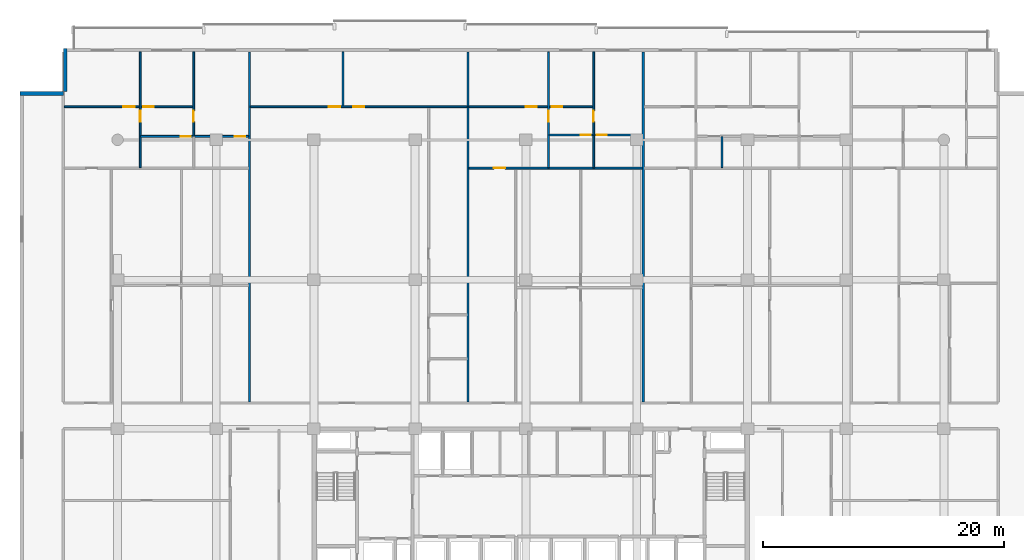
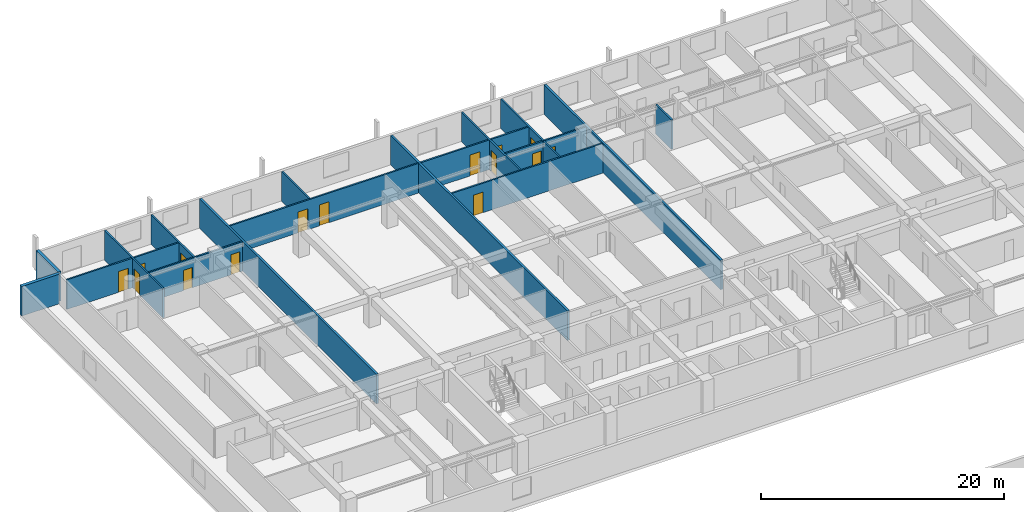
# One storey, part 14 of 23: 18 walls, 15 doors, 15 openings.
"""IFC4 building model written with IfcOpenShell, lengths in metres."""

import ifcopenshell
import ifcopenshell.guid

model = None  # the IFC model being written
_history = None  # IfcOwnerHistory: only IFC2X3 demands one
_inside = {}  # id of a spatial element -> (the spatial element, [elements in it])
_under = {}  # id of a project, library or spatial element -> (it, [spatial elements below it])
_declared = {}  # id of a project -> (the project, [libraries it declares])
_typed = {}  # id of a type object -> (the type object, [elements of that type])
_made_of = {}  # id of a material, layer set ... -> (it, [elements and type objects made of it])


def new_model(schema):
    """Start an empty IFC model of exactly this schema.

    Asked for "IFC4X3", IfcOpenShell would pick the latest addendum, in which some entities
    have other attributes; the version numbers below select the first issue.
    IFC2X3 requires an IfcOwnerHistory on every rooted entity: one is made here for all.
    """
    global model, _history
    if schema == "IFC4X3":
        model = ifcopenshell.file(schema_version=(4, 3, 0, 0))
    else:
        model = ifcopenshell.file(schema=schema)
    _inside.clear()
    _under.clear()
    _declared.clear()
    _typed.clear()
    _made_of.clear()
    _history = None
    if model.schema == "IFC2X3":
        org = make("IfcOrganization", Name="unknown")
        user = make(
            "IfcPersonAndOrganization",
            ThePerson=make("IfcPerson", FamilyName="unknown"),
            TheOrganization=org,
        )
        app = make(
            "IfcApplication",
            ApplicationDeveloper=org,
            Version="unknown",
            ApplicationFullName="unknown",
            ApplicationIdentifier="unknown",
        )
        _history = make(
            "IfcOwnerHistory",
            OwningUser=user,
            OwningApplication=app,
            ChangeAction="ADDED",
            CreationDate=0,
        )
    return model


def make(cls, **values):
    """One entity of the class cls with the attributes given. An attribute that is None is left unset."""
    return model.create_entity(
        cls, **{name: value for name, value in values.items() if value is not None}
    )


def rooted(cls, **values):
    """An entity with a GlobalId (a new one), such as an element, a storey or a relation."""
    return make(cls, GlobalId=ifcopenshell.guid.new(), OwnerHistory=_history, **values)


def si_unit(unit_type, name, prefix=None):
    """IfcSIUnit, for example si_unit("LENGTHUNIT", "METRE", prefix="MILLI")."""
    return make("IfcSIUnit", UnitType=unit_type, Prefix=prefix, Name=name)


def assignment(units):
    """IfcUnitAssignment: the units of a project."""
    return None if units is None else make("IfcUnitAssignment", Units=units)


def point(xyz):
    """IfcCartesianPoint."""
    return None if xyz is None else make("IfcCartesianPoint", Coordinates=xyz)


def direction(xyz):
    """IfcDirection."""
    return None if xyz is None else make("IfcDirection", DirectionRatios=xyz)


def frame(location, z_axis=None, x_axis=None):
    """IfcAxis2Placement3D, a coordinate frame: its origin and axes. An axis left out is left unset."""
    return make(
        "IfcAxis2Placement3D",
        Location=point(location),
        Axis=direction(z_axis),
        RefDirection=direction(x_axis),
    )


def frame_2d(location, x_axis=None):
    """IfcAxis2Placement2D, a coordinate frame in the plane: its origin and x axis."""
    return make(
        "IfcAxis2Placement2D", Location=point(location), RefDirection=direction(x_axis)
    )


def origin():
    """The frame at (0, 0, 0) with its axes left unset."""
    return frame((0.0, 0.0, 0.0))


def place(relative_to, where):
    """IfcLocalPlacement: puts the frame where relative to a parent placement (None: the world)."""
    return make(
        "IfcLocalPlacement", PlacementRelTo=relative_to, RelativePlacement=where
    )


def context(
    kind, dimensions, precision=None, world=None, true_north=None, identifier=None
):
    """IfcGeometricRepresentationContext, for example the 3D "Model" context."""
    return make(
        "IfcGeometricRepresentationContext",
        ContextIdentifier=identifier,
        ContextType=kind,
        CoordinateSpaceDimension=dimensions,
        Precision=precision,
        WorldCoordinateSystem=world,
        TrueNorth=true_north,
    )


def subcontext(parent, identifier, kind, view, scale=None):
    """IfcGeometricRepresentationSubContext, for example "Body" below "Model"."""
    return make(
        "IfcGeometricRepresentationSubContext",
        ContextIdentifier=identifier,
        ContextType=kind,
        ParentContext=parent,
        TargetScale=scale,
        TargetView=view,
    )


def project(units=None, contexts=None):
    """IfcProject with its units and contexts."""
    return rooted(
        "IfcProject",
        Name="project",
        RepresentationContexts=contexts,
        UnitsInContext=assignment(units),
    )


def spatial(cls, under=None, at=None, **own):
    """A site, building, storey or space (cls), placed at a placement, below another one or the project."""
    s = rooted(cls, ObjectPlacement=at, **own)
    if under is not None:
        _under.setdefault(under.id(), (under, []))[1].append(s)
    return s


def profile(cls, at=None, kind="AREA", **sizes):
    """A parametric profile (cls). Its sizes go by their IFC names, for example OverallWidth=200.0."""
    return make(cls, ProfileType=kind, Position=at, **sizes)


def rectangle(**sizes):
    """IfcRectangleProfileDef."""
    return profile("IfcRectangleProfileDef", **sizes)


def extrude(swept, where, along, depth):
    """IfcExtrudedAreaSolid: the profile swept, set in the frame where, extruded along a direction by depth."""
    return make(
        "IfcExtrudedAreaSolid",
        SweptArea=swept,
        Position=where,
        ExtrudedDirection=direction(along),
        Depth=depth,
    )


def shape(context_of_items, identifier, shape_type, items):
    """IfcShapeRepresentation: the items that make up one representation, for example the "Body"."""
    return make(
        "IfcShapeRepresentation",
        ContextOfItems=context_of_items,
        RepresentationIdentifier=identifier,
        RepresentationType=shape_type,
        Items=items,
    )


def material(Name=None, Category=None):
    """IfcMaterial."""
    return make("IfcMaterial", Name=Name, Category=Category)


def layer(
    of_material, thickness, ventilated=None, Name=None, Category=None, Priority=None
):
    """IfcMaterialLayer: one layer of a wall or slab, of a material (None: an air gap)."""
    return make(
        "IfcMaterialLayer",
        Material=of_material,
        LayerThickness=thickness,
        IsVentilated=ventilated,
        Name=Name,
        Category=Category,
        Priority=Priority,
    )


def layer_set(layers, Name=None):
    """IfcMaterialLayerSet."""
    return make("IfcMaterialLayerSet", MaterialLayers=layers, LayerSetName=Name)


def made_of(thing, what):
    """Note that an element or type object is made of a material, layer set ...; save() writes the relation."""
    if what is not None:
        _made_of.setdefault(what.id(), (what, []))[1].append(thing)
    return thing


def type_object(cls, material=None, **own):
    """A type object (cls), such as IfcWallType, which elements share."""
    return made_of(rooted(cls, **own), material)


def element(
    cls,
    number,
    at=None,
    inside=None,
    cuts=None,
    type_object=None,
    material=None,
    context=None,
    identifier="Body",
    shape_type=None,
    held_by="IfcProductDefinitionShape",
    body=None,
    shapes=None,
    **own,
):
    """One element of the class cls, such as IfcWall. Its Tag is "e" and its number.

    at: its placement. inside: the storey or other place that contains it. cuts: it is an
    opening in that element (IfcRelVoidsElement). A single representation is given by context,
    identifier, shape_type and body (its items); several are given by shapes. held_by: the class
    of the entity that holds the representations. save() writes the other relations.
    """
    e = rooted(cls, Tag="e%d" % number, ObjectPlacement=at, **own)
    if body is not None:
        shapes = [shape(context, identifier, shape_type, body)]
    if shapes is not None:
        e.Representation = make(held_by, Representations=shapes)
    if inside is not None:
        _inside.setdefault(inside.id(), (inside, []))[1].append(e)
    if cuts is not None:
        rooted(
            "IfcRelVoidsElement", RelatingBuildingElement=cuts, RelatedOpeningElement=e
        )
    if type_object is not None:
        _typed.setdefault(type_object.id(), (type_object, []))[1].append(e)
    return made_of(e, material)


def fill(opening, filler):
    """IfcRelFillsElement: the door or window that sits in an opening."""
    return rooted(
        "IfcRelFillsElement",
        RelatingOpeningElement=opening,
        RelatedBuildingElement=filler,
    )


def aggregate(whole, parts):
    """IfcRelAggregates: a whole, such as a stair, and the parts it consists of."""
    return rooted("IfcRelAggregates", RelatingObject=whole, RelatedObjects=parts)


def save(model, path):
    """Write the relations noted so far, then the file.

    IfcRelAggregates (storeys below a building ...), IfcRelContainedInSpatialStructure (elements
    in a storey), IfcRelDefinesByType, IfcRelAssociatesMaterial and IfcRelDeclares: one each for
    every whole, place, type object, material and project.
    """
    for whole, parts in _under.values():
        aggregate(whole, parts)
    for where, things in _inside.values():
        rooted(
            "IfcRelContainedInSpatialStructure",
            RelatedElements=things,
            RelatingStructure=where,
        )
    for kind, things in _typed.values():
        rooted("IfcRelDefinesByType", RelatedObjects=things, RelatingType=kind)
    for what, things in _made_of.values():
        rooted("IfcRelAssociatesMaterial", RelatedObjects=things, RelatingMaterial=what)
    for by, libraries in _declared.values():
        rooted("IfcRelDeclares", RelatingContext=by, RelatedDefinitions=libraries)
    model.write(path)


model = new_model("IFC4")

# Units and contexts
model_context = context("Model", 3, precision=1e-05, world=origin(), true_north=direction((0.0, 1.0)))
body_context = subcontext(model_context, "Body", "Model", "MODEL_VIEW")
ifc_project = project(units=[si_unit("LENGTHUNIT", "METRE"), si_unit("AREAUNIT", "SQUARE_METRE"), si_unit("VOLUMEUNIT", "CUBIC_METRE"), si_unit("PLANEANGLEUNIT", "RADIAN"), si_unit("MASSUNIT", "GRAM", prefix="KILO")], contexts=[model_context])

# Site, building, storey
site_placement = place(None, origin())
site = spatial("IfcSite", under=ifc_project, at=site_placement, CompositionType="ELEMENT")
building_placement = place(site_placement, origin())
building = spatial("IfcBuilding", under=site, at=building_placement, Name="Korimba Cascade Residences", CompositionType="ELEMENT")
storey_placement = place(building_placement, frame((0.0, 0.0, 50.0)))
storey = spatial("IfcBuildingStorey", under=building, at=storey_placement, Name="L13", CompositionType="ELEMENT", Elevation=50.0)

# Walls
ifc_material_1 = material(Name="Precast concrete C40/50", Category="concrete")
ifc_layer_1 = layer(ifc_material_1, 0.300048828125)
ifc_layer_set_1 = layer_set([ifc_layer_1], Name="Precast concrete C40/50")
wall_type_1 = type_object("IfcWallType", Name="EW-STONE-300", PredefinedType="STANDARD", material=ifc_layer_set_1)
for number, where, z_axis, x_axis, name in (
    (1, (55.449951171875, 98.800048828125, 0.0), (0.0, 0.0, 1.0), (0.0, -1.0, 0.0), "L13 T1 Perimeter Stone Wall E07"),
    (2, (55.300048828125, 95.050048828125, 0.0), (0.0, 0.0, 1.0), (-1.0, 0.0, 0.0), "L13 T1 Perimeter Stone Wall E08"),
):
    element("IfcWall", number, at=place(storey_placement, frame(where, z_axis=z_axis, x_axis=x_axis)), inside=storey, type_object=wall_type_1, Name=name, PredefinedType="STANDARD", context=body_context, shape_type="SweptSolid", body=[
        extrude(rectangle(XDim=3.60009765625, YDim=0.300048828125, at=frame_2d((1.800048828125, 0.0))), origin(), (0.0, 0.0, 1.0), 2.969970703125),
    ])
ifc_layer_2 = layer(ifc_material_1, 0.199951171875)
ifc_layer_set_2 = layer_set([ifc_layer_2], Name="Precast concrete C40/50")
wall_type_2 = type_object("IfcWallType", Name="WAL-IT-200", PredefinedType="PARTITIONING", material=ifc_layer_set_2)
for number, where, z_axis, x_axis, name in (
    (3, (70.755126953125, 69.429931640625, 0.0), (0.0, 0.0, 1.0), (0.0, 1.0, 0.0), "L13 Partition Wall WAL-L13-T1-DEM-1"),
    (4, (88.894287109375, 69.429931640625, 0.0), (0.0, 0.0, 1.0), (0.0, 1.0, 0.0), "L13 Partition Wall WAL-L13-T1-DEM-2"),
    (5, (103.45751953125, 69.429931640625, 0.0), (0.0, 0.0, 1.0), (0.0, 1.0, 0.0), "L13 Partition Wall WAL-L13-T1-DEM-3"),
):
    element("IfcWall", number, at=place(storey_placement, frame(where, z_axis=z_axis, x_axis=x_axis)), inside=storey, type_object=wall_type_2, Name=name, PredefinedType="PARTITIONING", context=body_context, shape_type="SweptSolid", body=[
        extrude(rectangle(XDim=29.070068359375, YDim=0.199951171875, at=frame_2d((14.53515625, 0.0))), origin(), (0.0, 0.0, 1.0), 2.969970703125),
    ])

# Wall, opening, door
ifc_material_2 = material(Name="Insulated Acoustic Stud Partition", Category="gypsum")
ifc_layer_3 = layer(ifc_material_2, 0.14990234375)
ifc_layer_set_3 = layer_set([ifc_layer_3], Name="Insulated Acoustic Stud Partition")
wall_type_3 = type_object("IfcWallType", Name="WAL-PART-150", PredefinedType="PARTITIONING", material=ifc_layer_set_3)
wall_1_placement = place(storey_placement, frame((61.679931640625, 88.889892578125, 0.0), z_axis=(0.0, 0.0, 1.0), x_axis=(0.0, 1.0, 0.0)))
wall_1 = element("IfcWall", 6, at=wall_1_placement, inside=storey, type_object=wall_type_3, Name="L13 Partition Wall WAL-L13-T1-U01-V1", PredefinedType="PARTITIONING", context=body_context, shape_type="SweptSolid", body=[
    extrude(rectangle(XDim=9.610107421875, YDim=0.14990234375, at=frame_2d((4.80517578125, 0.0))), origin(), (0.0, 0.0, 1.0), 2.969970703125),
])
opening_1_placement = place(wall_1_placement, frame((3.820068359375, 0.0, 0.0)))
opening_1 = element("IfcOpeningElement", 7, at=opening_1_placement, cuts=wall_1, Name="Opening D-IN1", PredefinedType="OPENING", context=body_context, shape_type="SweptSolid", body=[
    extrude(rectangle(XDim=0.919921875, YDim=2.080078125, at=frame_2d((0.4599609375, 1.0400390625))), frame((0.0, 0.0849609375, 0.0), z_axis=(0.0, -1.0, 0.0), x_axis=(1.0, 0.0, 0.0)), (0.0, 0.0, 1.0), 0.169921875),
])
ifc_material_3 = material(Name="Acoustic Timber Living Door", Category="wood")
door_type_1 = type_object("IfcDoorType", Name="DR-INT-920", OperationType="NOTDEFINED", PredefinedType="DOOR", material=ifc_material_3)
door_1_placement = place(opening_1_placement, origin())
door_1 = element("IfcDoor", 8, at=door_1_placement, inside=storey, type_object=door_type_1, Name="L13-T1-U01 Hallway Door", OperationType="SINGLE_SWING_RIGHT", OverallHeight=2.080078125, OverallWidth=0.919921875, PredefinedType="DOOR", context=body_context, shape_type="SweptSolid", body=[
    extrude(rectangle(XDim=0.919921875, YDim=2.080078125, at=frame_2d((0.4599609375, 1.0400390625))), frame((0.0, 0.02490234375, 0.0), z_axis=(0.0, -1.0, 0.0), x_axis=(1.0, 0.0, 0.0)), (0.0, 0.0, 1.0), 0.050048828125),
])
fill(opening_1, door_1)

wall_2_placement = place(storey_placement, frame((66.1201171875, 91.510009765625, 0.0), z_axis=(0.0, 0.0, 1.0), x_axis=(0.0, 1.0, 0.0)))
wall_2 = element("IfcWall", 9, at=wall_2_placement, inside=storey, type_object=wall_type_3, Name="L13 Partition Wall WAL-L13-T1-U01-V2FULL", PredefinedType="PARTITIONING", context=body_context, shape_type="SweptSolid", body=[
    extrude(rectangle(XDim=6.989990234375, YDim=0.14990234375, at=frame_2d((3.4951171875, 0.0))), origin(), (0.0, 0.0, 1.0), 2.969970703125),
])
opening_2_placement = place(wall_2_placement, frame((1.199951171875, 0.0, 0.0)))
opening_2 = element("IfcOpeningElement", 10, at=opening_2_placement, cuts=wall_2, Name="Opening D-IN1", PredefinedType="OPENING", context=body_context, shape_type="SweptSolid", body=[
    extrude(rectangle(XDim=0.919921875, YDim=2.080078125, at=frame_2d((0.4599609375, 1.0400390625))), frame((0.0, 0.0849609375, 0.0), z_axis=(0.0, -1.0, 0.0), x_axis=(1.0, 0.0, 0.0)), (0.0, 0.0, 1.0), 0.169921875),
])
door_2_placement = place(opening_2_placement, origin())
door_2 = element("IfcDoor", 11, at=door_2_placement, inside=storey, type_object=door_type_1, Name="L13-T1-U01 Master Bedroom Door", OperationType="SINGLE_SWING_LEFT", OverallHeight=2.080078125, OverallWidth=0.919921875, PredefinedType="DOOR", context=body_context, shape_type="SweptSolid", body=[
    extrude(rectangle(XDim=0.919921875, YDim=2.080078125, at=frame_2d((0.4599609375, 1.0400390625))), frame((0.0, 0.02490234375, 0.0), z_axis=(0.0, -1.0, 0.0), x_axis=(1.0, 0.0, 0.0)), (0.0, 0.0, 1.0), 0.050048828125),
])
fill(opening_2, door_2)

# Wall, openings, doors
wall_3_placement = place(storey_placement, frame((61.719970703125, 91.489990234375, 0.0), z_axis=(0.0, 0.0, 1.0), x_axis=(1.0, 0.0, 0.0)))
wall_3 = element("IfcWall", 12, at=wall_3_placement, inside=storey, type_object=wall_type_3, Name="L13 Partition Wall WAL-L13-T1-U01-HWALL", PredefinedType="PARTITIONING", context=body_context, shape_type="SweptSolid", body=[
    extrude(rectangle(XDim=8.955322265625, YDim=0.14990234375, at=frame_2d((4.4775390625, 0.0))), origin(), (0.0, 0.0, 1.0), 2.969970703125),
])
opening_3_placement = place(wall_3_placement, frame((3.31005859375, 0.0, 0.0)))
opening_3 = element("IfcOpeningElement", 13, at=opening_3_placement, cuts=wall_3, Name="Opening D-BT1", PredefinedType="OPENING", context=body_context, shape_type="SweptSolid", body=[
    extrude(rectangle(XDim=0.840087890625, YDim=2.0400390625, at=frame_2d((0.419921875, 1.02001953125))), frame((0.0, 0.0849609375, 0.0), z_axis=(0.0, -1.0, 0.0), x_axis=(1.0, 0.0, 0.0)), (0.0, 0.0, 1.0), 0.169921875),
])
opening_4_placement = place(wall_3_placement, frame((7.8251953125, 0.0, 0.0)))
opening_4 = element("IfcOpeningElement", 14, at=opening_4_placement, cuts=wall_3, Name="Opening D-BT1", PredefinedType="OPENING", context=body_context, shape_type="SweptSolid", body=[
    extrude(rectangle(XDim=0.840087890625, YDim=2.0400390625, at=frame_2d((0.419921875, 1.02001953125))), frame((0.0, 0.0849609375, 0.0), z_axis=(0.0, -1.0, 0.0), x_axis=(1.0, 0.0, 0.0)), (0.0, 0.0, 1.0), 0.169921875),
])
ifc_material_4 = material(Name="Moisture-Resistant Bathroom Timber Door", Category="wood")
door_type_2 = type_object("IfcDoorType", Name="DR-INT-850", OperationType="NOTDEFINED", PredefinedType="DOOR", material=ifc_material_4)
door_3_placement = place(opening_3_placement, origin())
door_3 = element("IfcDoor", 15, at=door_3_placement, inside=storey, type_object=door_type_2, Name="L13-T1-U01 Family Bathroom Door", OperationType="SINGLE_SWING_RIGHT", OverallHeight=2.0400390625, OverallWidth=0.840087890625, PredefinedType="DOOR", context=body_context, shape_type="SweptSolid", body=[
    extrude(rectangle(XDim=0.840087890625, YDim=2.0400390625, at=frame_2d((0.419921875, 1.02001953125))), frame((0.0, 0.02490234375, 0.0), z_axis=(0.0, -1.0, 0.0), x_axis=(1.0, 0.0, 0.0)), (0.0, 0.0, 1.0), 0.050048828125),
])
fill(opening_3, door_3)
door_4_placement = place(opening_4_placement, origin())
door_4 = element("IfcDoor", 16, at=door_4_placement, inside=storey, type_object=door_type_2, Name="L13-T1-U01 En-Suite Door", OperationType="SINGLE_SWING_LEFT", OverallHeight=2.0400390625, OverallWidth=0.840087890625, PredefinedType="DOOR", context=body_context, shape_type="SweptSolid", body=[
    extrude(rectangle(XDim=0.840087890625, YDim=2.0400390625, at=frame_2d((0.419921875, 1.02001953125))), frame((0.0, 0.02490234375, 0.0), z_axis=(0.0, -1.0, 0.0), x_axis=(1.0, 0.0, 0.0)), (0.0, 0.0, 1.0), 0.050048828125),
])
fill(opening_4, door_4)

wall_4_placement = place(storey_placement, frame((55.3798828125, 93.949951171875, 0.0), z_axis=(0.0, 0.0, 1.0), x_axis=(1.0, 0.0, 0.0)))
wall_4 = element("IfcWall", 17, at=wall_4_placement, inside=storey, type_object=wall_type_3, Name="L13 Partition Wall WAL-L13-T1-U01-HZ", PredefinedType="PARTITIONING", context=body_context, shape_type="SweptSolid", body=[
    extrude(rectangle(XDim=10.740234375, YDim=0.14990234375, at=frame_2d((5.3701171875, 0.0))), origin(), (0.0, 0.0, 1.0), 2.969970703125),
])
opening_5_placement = place(wall_4_placement, frame((4.89990234375, 0.0, 0.0)))
opening_5 = element("IfcOpeningElement", 18, at=opening_5_placement, cuts=wall_4, Name="Opening D-IN0", PredefinedType="OPENING", context=body_context, shape_type="SweptSolid", body=[
    extrude(rectangle(XDim=0.93994140625, YDim=2.10009765625, at=frame_2d((0.469970703125, 1.050048828125))), frame((0.0, 0.0849609375, 0.0), z_axis=(0.0, -1.0, 0.0), x_axis=(1.0, 0.0, 0.0)), (0.0, 0.0, 1.0), 0.169921875),
])
opening_6_placement = place(wall_4_placement, frame((6.550048828125, 0.0, 0.0)))
opening_6 = element("IfcOpeningElement", 19, at=opening_6_placement, cuts=wall_4, Name="Opening D-IN2", PredefinedType="OPENING", context=body_context, shape_type="SweptSolid", body=[
    extrude(rectangle(XDim=0.8798828125, YDim=2.06005859375, at=frame_2d((0.43994140625, 1.030029296875))), frame((0.0, 0.0849609375, 0.0), z_axis=(0.0, -1.0, 0.0), x_axis=(1.0, 0.0, 0.0)), (0.0, 0.0, 1.0), 0.169921875),
])
ifc_material_5 = material(Name="Acoustic Timber Bedroom Door", Category="wood")
door_type_3 = type_object("IfcDoorType", Name="DR-INT-880", OperationType="NOTDEFINED", PredefinedType="DOOR", material=ifc_material_5)
door_5_placement = place(opening_6_placement, origin())
door_5 = element("IfcDoor", 20, at=door_5_placement, inside=storey, type_object=door_type_3, Name="L13-T1-U01 Bedroom 2 Door", OperationType="SINGLE_SWING_RIGHT", OverallHeight=2.06005859375, OverallWidth=0.8798828125, PredefinedType="DOOR", context=body_context, shape_type="SweptSolid", body=[
    extrude(rectangle(XDim=0.8798828125, YDim=2.06005859375, at=frame_2d((0.43994140625, 1.030029296875))), frame((0.0, 0.02490234375, 0.0), z_axis=(0.0, -1.0, 0.0), x_axis=(1.0, 0.0, 0.0)), (0.0, 0.0, 1.0), 0.050048828125),
])
fill(opening_6, door_5)
ifc_material_6 = material(Name="Acoustic Timber Living Archway Door", Category="wood")
door_type_4 = type_object("IfcDoorType", Name="DR-INT-950", OperationType="NOTDEFINED", PredefinedType="DOOR", material=ifc_material_6)
door_6_placement = place(opening_5_placement, origin())
door_6 = element("IfcDoor", 21, at=door_6_placement, inside=storey, type_object=door_type_4, Name="L13-T1-U01 Living Room Door", OperationType="SINGLE_SWING_LEFT", OverallHeight=2.10009765625, OverallWidth=0.93994140625, PredefinedType="DOOR", context=body_context, shape_type="SweptSolid", body=[
    extrude(rectangle(XDim=0.93994140625, YDim=2.10009765625, at=frame_2d((0.469970703125, 1.050048828125))), frame((0.0, 0.02490234375, 0.0), z_axis=(0.0, -1.0, 0.0), x_axis=(1.0, 0.0, 0.0)), (0.0, 0.0, 1.0), 0.050048828125),
])
fill(opening_5, door_6)

# Wall
wall_5_placement = place(storey_placement, frame((78.519775390625, 94.030029296875, 0.0), z_axis=(0.0, 0.0, 1.0), x_axis=(0.0, 1.0, 0.0)))
element("IfcWall", 22, at=wall_5_placement, inside=storey, type_object=wall_type_3, Name="L13 Partition Wall WAL-L13-T1-U02-OUTV", PredefinedType="PARTITIONING", context=body_context, shape_type="SweptSolid", body=[
    extrude(rectangle(XDim=4.469970703125, YDim=0.14990234375, at=frame_2d((2.23486328125, 0.0))), origin(), (0.0, 0.0, 1.0), 2.969970703125),
])

# Wall, openings, doors
wall_6_placement = place(storey_placement, frame((70.835205078125, 93.949951171875, 0.0), z_axis=(0.0, 0.0, 1.0), x_axis=(1.0, 0.0, 0.0)))
wall_6 = element("IfcWall", 23, at=wall_6_placement, inside=storey, type_object=wall_type_3, Name="L13 Partition Wall WAL-L13-T1-U02-HZ", PredefinedType="PARTITIONING", context=body_context, shape_type="SweptSolid", body=[
    extrude(rectangle(XDim=17.97900390625, YDim=0.14990234375, at=frame_2d((8.989501953125, 0.0))), origin(), (0.0, 0.0, 1.0), 2.969970703125),
])
opening_7_placement = place(wall_6_placement, frame((6.49462890625, 0.0, 0.0)))
opening_7 = element("IfcOpeningElement", 24, at=opening_7_placement, cuts=wall_6, Name="Opening D-IN0", PredefinedType="OPENING", context=body_context, shape_type="SweptSolid", body=[
    extrude(rectangle(XDim=0.93994140625, YDim=2.10009765625, at=frame_2d((0.469970703125, 1.050048828125))), frame((0.0, 0.0849609375, 0.0), z_axis=(0.0, -1.0, 0.0), x_axis=(1.0, 0.0, 0.0)), (0.0, 0.0, 1.0), 0.169921875),
])
opening_8_placement = place(wall_6_placement, frame((8.51953125, 0.0, 0.0)))
opening_8 = element("IfcOpeningElement", 25, at=opening_8_placement, cuts=wall_6, Name="Opening D-IN0", PredefinedType="OPENING", context=body_context, shape_type="SweptSolid", body=[
    extrude(rectangle(XDim=0.93994140625, YDim=2.10009765625, at=frame_2d((0.469970703125, 1.050048828125))), frame((0.0, 0.0849609375, 0.0), z_axis=(0.0, -1.0, 0.0), x_axis=(1.0, 0.0, 0.0)), (0.0, 0.0, 1.0), 0.169921875),
])
door_7_placement = place(opening_7_placement, origin())
door_7 = element("IfcDoor", 26, at=door_7_placement, inside=storey, type_object=door_type_4, Name="L13-T1-U02 Resident Boardroom Door", OperationType="SINGLE_SWING_RIGHT", OverallHeight=2.10009765625, OverallWidth=0.93994140625, PredefinedType="DOOR", context=body_context, shape_type="SweptSolid", body=[
    extrude(rectangle(XDim=0.93994140625, YDim=2.10009765625, at=frame_2d((0.469970703125, 1.050048828125))), frame((0.0, 0.02490234375, 0.0), z_axis=(0.0, -1.0, 0.0), x_axis=(1.0, 0.0, 0.0)), (0.0, 0.0, 1.0), 0.050048828125),
])
fill(opening_7, door_7)
door_8_placement = place(opening_8_placement, origin())
door_8 = element("IfcDoor", 27, at=door_8_placement, inside=storey, type_object=door_type_4, Name="L13-T1-U02 Executive Seminar Room Door", OperationType="SINGLE_SWING_LEFT", OverallHeight=2.10009765625, OverallWidth=0.93994140625, PredefinedType="DOOR", context=body_context, shape_type="SweptSolid", body=[
    extrude(rectangle(XDim=0.93994140625, YDim=2.10009765625, at=frame_2d((0.469970703125, 1.050048828125))), frame((0.0, 0.02490234375, 0.0), z_axis=(0.0, -1.0, 0.0), x_axis=(1.0, 0.0, 0.0)), (0.0, 0.0, 1.0), 0.050048828125),
])
fill(opening_8, door_8)

# Wall, opening, door
wall_7_placement = place(storey_placement, frame((95.580078125, 88.889892578125, 0.0), z_axis=(0.0, 0.0, 1.0), x_axis=(0.0, 1.0, 0.0)))
wall_7 = element("IfcWall", 28, at=wall_7_placement, inside=storey, type_object=wall_type_3, Name="L13 Partition Wall WAL-L13-T1-U03-V1", PredefinedType="PARTITIONING", context=body_context, shape_type="SweptSolid", body=[
    extrude(rectangle(XDim=9.610107421875, YDim=0.14990234375, at=frame_2d((4.80517578125, 0.0))), origin(), (0.0, 0.0, 1.0), 2.969970703125),
])
opening_9_placement = place(wall_7_placement, frame((3.820068359375, 0.0, 0.0)))
opening_9 = element("IfcOpeningElement", 29, at=opening_9_placement, cuts=wall_7, Name="Opening D-IN1", PredefinedType="OPENING", context=body_context, shape_type="SweptSolid", body=[
    extrude(rectangle(XDim=0.919921875, YDim=2.080078125, at=frame_2d((0.4599609375, 1.0400390625))), frame((0.0, 0.0849609375, 0.0), z_axis=(0.0, -1.0, 0.0), x_axis=(1.0, 0.0, 0.0)), (0.0, 0.0, 1.0), 0.169921875),
])
door_9_placement = place(opening_9_placement, origin())
door_9 = element("IfcDoor", 30, at=door_9_placement, inside=storey, type_object=door_type_1, Name="L13-T1-U03 Hallway Door", OperationType="SINGLE_SWING_RIGHT", OverallHeight=2.080078125, OverallWidth=0.919921875, PredefinedType="DOOR", context=body_context, shape_type="SweptSolid", body=[
    extrude(rectangle(XDim=0.919921875, YDim=2.080078125, at=frame_2d((0.4599609375, 1.0400390625))), frame((0.0, 0.02490234375, 0.0), z_axis=(0.0, -1.0, 0.0), x_axis=(1.0, 0.0, 0.0)), (0.0, 0.0, 1.0), 0.050048828125),
])
fill(opening_9, door_9)

# Wall
wall_8_placement = place(storey_placement, frame((99.326904296875, 88.889892578125, 0.0), z_axis=(0.0, 0.0, 1.0), x_axis=(0.0, 1.0, 0.0)))
element("IfcWall", 31, at=wall_8_placement, inside=storey, type_object=wall_type_3, Name="L13 Partition Wall WAL-L13-T1-U03-VBATH", PredefinedType="PARTITIONING", context=body_context, shape_type="SweptSolid", body=[
    extrude(rectangle(XDim=2.690185546875, YDim=0.14990234375, at=frame_2d((1.34521484375, 0.0))), origin(), (0.0, 0.0, 1.0), 2.969970703125),
])

# Wall, opening, door
wall_9_placement = place(storey_placement, frame((99.326904296875, 91.6201171875, 0.0), z_axis=(0.0, 0.0, 1.0), x_axis=(0.0, 1.0, 0.0)))
wall_9 = element("IfcWall", 32, at=wall_9_placement, inside=storey, type_object=wall_type_3, Name="L13 Partition Wall WAL-L13-T1-U03-V2FULL", PredefinedType="PARTITIONING", context=body_context, shape_type="SweptSolid", body=[
    extrude(rectangle(XDim=6.8798828125, YDim=0.14990234375, at=frame_2d((3.43994140625, 0.0))), origin(), (0.0, 0.0, 1.0), 2.969970703125),
])
opening_10_placement = place(wall_9_placement, frame((1.090087890625, 0.0, 0.0)))
opening_10 = element("IfcOpeningElement", 33, at=opening_10_placement, cuts=wall_9, Name="Opening D-IN1", PredefinedType="OPENING", context=body_context, shape_type="SweptSolid", body=[
    extrude(rectangle(XDim=0.919921875, YDim=2.080078125, at=frame_2d((0.4599609375, 1.0400390625))), frame((0.0, 0.0849609375, 0.0), z_axis=(0.0, -1.0, 0.0), x_axis=(1.0, 0.0, 0.0)), (0.0, 0.0, 1.0), 0.169921875),
])
door_10_placement = place(opening_10_placement, origin())
door_10 = element("IfcDoor", 34, at=door_10_placement, inside=storey, type_object=door_type_1, Name="L13-T1-U03 Master Bedroom Door", OperationType="SINGLE_SWING_LEFT", OverallHeight=2.080078125, OverallWidth=0.919921875, PredefinedType="DOOR", context=body_context, shape_type="SweptSolid", body=[
    extrude(rectangle(XDim=0.919921875, YDim=2.080078125, at=frame_2d((0.4599609375, 1.0400390625))), frame((0.0, 0.02490234375, 0.0), z_axis=(0.0, -1.0, 0.0), x_axis=(1.0, 0.0, 0.0)), (0.0, 0.0, 1.0), 0.050048828125),
])
fill(opening_10, door_10)

# Wall, openings, doors
wall_10_placement = place(storey_placement, frame((95.6201171875, 91.60009765625, 0.0), z_axis=(0.0, 0.0, 1.0), x_axis=(1.0, 0.0, 0.0)))
wall_10 = element("IfcWall", 35, at=wall_10_placement, inside=storey, type_object=wall_type_3, Name="L13 Partition Wall WAL-L13-T1-U03-HWALL", PredefinedType="PARTITIONING", context=body_context, shape_type="SweptSolid", body=[
    extrude(rectangle(XDim=7.75732421875, YDim=0.14990234375, at=frame_2d((3.878662109375, 0.0))), origin(), (0.0, 0.0, 1.0), 2.969970703125),
])
opening_11_placement = place(wall_10_placement, frame((2.616943359375, 0.0, 0.0)))
opening_11 = element("IfcOpeningElement", 36, at=opening_11_placement, cuts=wall_10, Name="Opening D-BT1", PredefinedType="OPENING", context=body_context, shape_type="SweptSolid", body=[
    extrude(rectangle(XDim=0.840087890625, YDim=2.0400390625, at=frame_2d((0.419921875, 1.02001953125))), frame((0.0, 0.0849609375, 0.0), z_axis=(0.0, -1.0, 0.0), x_axis=(1.0, 0.0, 0.0)), (0.0, 0.0, 1.0), 0.169921875),
])
opening_12_placement = place(wall_10_placement, frame((3.95703125, 0.0, 0.0)))
opening_12 = element("IfcOpeningElement", 37, at=opening_12_placement, cuts=wall_10, Name="Opening D-BT1", PredefinedType="OPENING", context=body_context, shape_type="SweptSolid", body=[
    extrude(rectangle(XDim=0.840087890625, YDim=2.0400390625, at=frame_2d((0.419921875, 1.02001953125))), frame((0.0, 0.0849609375, 0.0), z_axis=(0.0, -1.0, 0.0), x_axis=(1.0, 0.0, 0.0)), (0.0, 0.0, 1.0), 0.169921875),
])
door_11_placement = place(opening_11_placement, origin())
door_11 = element("IfcDoor", 38, at=door_11_placement, inside=storey, type_object=door_type_2, Name="L13-T1-U03 Family Bathroom Door", OperationType="SINGLE_SWING_RIGHT", OverallHeight=2.0400390625, OverallWidth=0.840087890625, PredefinedType="DOOR", context=body_context, shape_type="SweptSolid", body=[
    extrude(rectangle(XDim=0.840087890625, YDim=2.0400390625, at=frame_2d((0.419921875, 1.02001953125))), frame((0.0, 0.02490234375, 0.0), z_axis=(0.0, -1.0, 0.0), x_axis=(1.0, 0.0, 0.0)), (0.0, 0.0, 1.0), 0.050048828125),
])
fill(opening_11, door_11)
door_12_placement = place(opening_12_placement, origin())
door_12 = element("IfcDoor", 39, at=door_12_placement, inside=storey, type_object=door_type_2, Name="L13-T1-U03 En-Suite Door", OperationType="SINGLE_SWING_LEFT", OverallHeight=2.0400390625, OverallWidth=0.840087890625, PredefinedType="DOOR", context=body_context, shape_type="SweptSolid", body=[
    extrude(rectangle(XDim=0.840087890625, YDim=2.0400390625, at=frame_2d((0.419921875, 1.02001953125))), frame((0.0, 0.02490234375, 0.0), z_axis=(0.0, -1.0, 0.0), x_axis=(1.0, 0.0, 0.0)), (0.0, 0.0, 1.0), 0.050048828125),
])
fill(opening_12, door_12)

# Wall, opening, door
wall_11_placement = place(storey_placement, frame((88.974365234375, 88.85009765625, 0.0), z_axis=(0.0, 0.0, 1.0), x_axis=(1.0, 0.0, 0.0)))
wall_11 = element("IfcWall", 40, at=wall_11_placement, inside=storey, type_object=wall_type_3, Name="L13 Partition Wall WAL-L13-T1-U03-MW", PredefinedType="PARTITIONING", context=body_context, shape_type="SweptSolid", body=[
    extrude(rectangle(XDim=14.403076171875, YDim=0.14990234375, at=frame_2d((7.20166015625, 0.0))), origin(), (0.0, 0.0, 1.0), 2.969970703125),
])
opening_13_placement = place(wall_11_placement, frame((2.077880859375, 0.0, 0.0)))
opening_13 = element("IfcOpeningElement", 41, at=opening_13_placement, cuts=wall_11, Name="Opening D-IN1", PredefinedType="OPENING", context=body_context, shape_type="SweptSolid", body=[
    extrude(rectangle(XDim=0.919921875, YDim=2.080078125, at=frame_2d((0.4599609375, 1.0400390625))), frame((0.0, 0.0849609375, 0.0), z_axis=(0.0, -1.0, 0.0), x_axis=(1.0, 0.0, 0.0)), (0.0, 0.0, 1.0), 0.169921875),
])
door_13_placement = place(opening_13_placement, origin())
door_13 = element("IfcDoor", 42, at=door_13_placement, inside=storey, type_object=door_type_1, Name="L13-T1-U03 Kitchen Door", OperationType="SINGLE_SWING_RIGHT", OverallHeight=2.080078125, OverallWidth=0.919921875, PredefinedType="DOOR", context=body_context, shape_type="SweptSolid", body=[
    extrude(rectangle(XDim=0.919921875, YDim=2.080078125, at=frame_2d((0.4599609375, 1.0400390625))), frame((0.0, 0.02490234375, 0.0), z_axis=(0.0, -1.0, 0.0), x_axis=(1.0, 0.0, 0.0)), (0.0, 0.0, 1.0), 0.050048828125),
])
fill(opening_13, door_13)

# Wall, openings, doors
wall_12_placement = place(storey_placement, frame((88.974365234375, 93.949951171875, 0.0), z_axis=(0.0, 0.0, 1.0), x_axis=(1.0, 0.0, 0.0)))
wall_12 = element("IfcWall", 43, at=wall_12_placement, inside=storey, type_object=wall_type_3, Name="L13 Partition Wall WAL-L13-T1-U03-HZ", PredefinedType="PARTITIONING", context=body_context, shape_type="SweptSolid", body=[
    extrude(rectangle(XDim=10.3525390625, YDim=0.14990234375, at=frame_2d((5.17626953125, 0.0))), origin(), (0.0, 0.0, 1.0), 2.969970703125),
])
opening_14_placement = place(wall_12_placement, frame((4.706298828125, 0.0, 0.0)))
opening_14 = element("IfcOpeningElement", 44, at=opening_14_placement, cuts=wall_12, Name="Opening D-IN0", PredefinedType="OPENING", context=body_context, shape_type="SweptSolid", body=[
    extrude(rectangle(XDim=0.93994140625, YDim=2.10009765625, at=frame_2d((0.469970703125, 1.050048828125))), frame((0.0, 0.0849609375, 0.0), z_axis=(0.0, -1.0, 0.0), x_axis=(1.0, 0.0, 0.0)), (0.0, 0.0, 1.0), 0.169921875),
])
opening_15_placement = place(wall_12_placement, frame((6.855712890625, 0.0, 0.0)))
opening_15 = element("IfcOpeningElement", 45, at=opening_15_placement, cuts=wall_12, Name="Opening D-IN2", PredefinedType="OPENING", context=body_context, shape_type="SweptSolid", body=[
    extrude(rectangle(XDim=0.8798828125, YDim=2.06005859375, at=frame_2d((0.43994140625, 1.030029296875))), frame((0.0, 0.0849609375, 0.0), z_axis=(0.0, -1.0, 0.0), x_axis=(1.0, 0.0, 0.0)), (0.0, 0.0, 1.0), 0.169921875),
])
door_14_placement = place(opening_15_placement, origin())
door_14 = element("IfcDoor", 46, at=door_14_placement, inside=storey, type_object=door_type_3, Name="L13-T1-U03 Bedroom 2 Door", OperationType="SINGLE_SWING_RIGHT", OverallHeight=2.06005859375, OverallWidth=0.8798828125, PredefinedType="DOOR", context=body_context, shape_type="SweptSolid", body=[
    extrude(rectangle(XDim=0.8798828125, YDim=2.06005859375, at=frame_2d((0.43994140625, 1.030029296875))), frame((0.0, 0.02490234375, 0.0), z_axis=(0.0, -1.0, 0.0), x_axis=(1.0, 0.0, 0.0)), (0.0, 0.0, 1.0), 0.050048828125),
])
fill(opening_15, door_14)
door_15_placement = place(opening_14_placement, origin())
door_15 = element("IfcDoor", 47, at=door_15_placement, inside=storey, type_object=door_type_4, Name="L13-T1-U03 Living Room Door", OperationType="SINGLE_SWING_LEFT", OverallHeight=2.10009765625, OverallWidth=0.93994140625, PredefinedType="DOOR", context=body_context, shape_type="SweptSolid", body=[
    extrude(rectangle(XDim=0.93994140625, YDim=2.10009765625, at=frame_2d((0.469970703125, 1.050048828125))), frame((0.0, 0.02490234375, 0.0), z_axis=(0.0, -1.0, 0.0), x_axis=(1.0, 0.0, 0.0)), (0.0, 0.0, 1.0), 0.050048828125),
])
fill(opening_14, door_15)

# Wall
wall_13_placement = place(storey_placement, frame((109.9775390625, 88.889892578125, 0.0), z_axis=(0.0, 0.0, 1.0), x_axis=(0.0, 1.0, 0.0)))
element("IfcWall", 48, at=wall_13_placement, inside=storey, type_object=wall_type_3, Name="L13 Partition Wall WAL-L13-T1-U04-VDRS", PredefinedType="PARTITIONING", context=body_context, shape_type="SweptSolid", body=[
    extrude(rectangle(XDim=2.580078125, YDim=0.14990234375, at=frame_2d((1.2900390625, 0.0))), origin(), (0.0, 0.0, 1.0), 2.969970703125),
])

save(model, "model.ifc")
